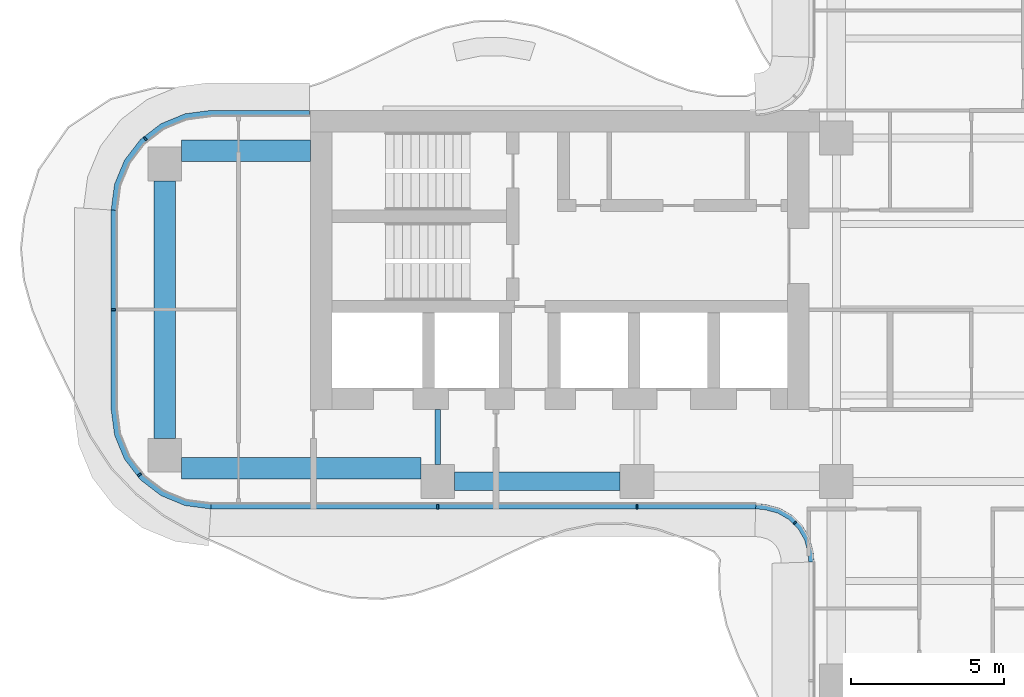
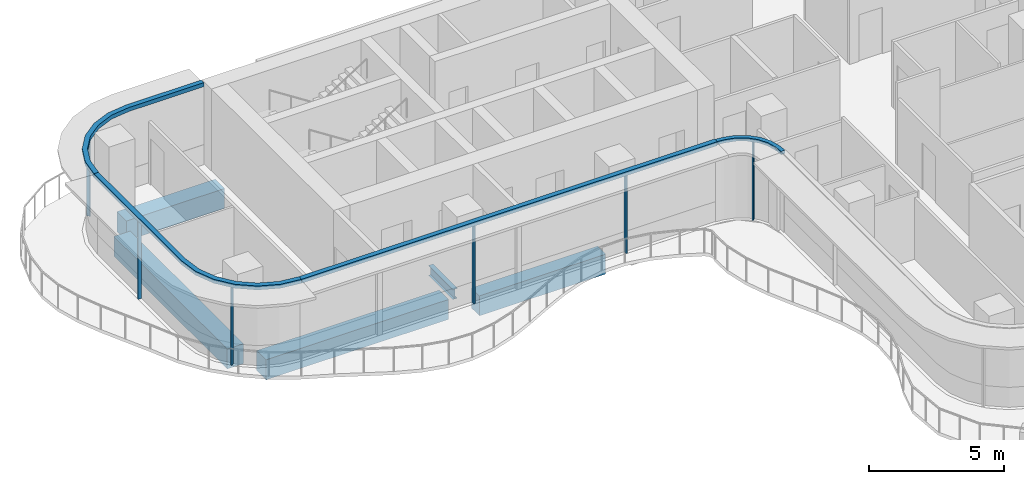
# One storey, part 3 of 16: 10 members, 5 beams, 4 elements without a shape of their own.
"""IFC4 building model written with IfcOpenShell, lengths in metres."""

from ifc_helpers import new_model, si_unit, direction, frame, origin, origin_2d, place, context, subcontext, project, spatial, polyline, rectangle, i_section, outline, extrude, source, transform, mapped, material, layer, layer_set, material_profile, profile_set, type_object, element, aggregate, save


model = new_model("IFC4")

# Units and contexts
model_context = context("Model", 3, precision=1e-05, world=origin(), true_north=direction((0.0, 1.0)))
body_context = subcontext(model_context, "Body", "Model", "MODEL_VIEW")
ifc_project = project(units=[si_unit("LENGTHUNIT", "METRE"), si_unit("AREAUNIT", "SQUARE_METRE"), si_unit("VOLUMEUNIT", "CUBIC_METRE"), si_unit("PLANEANGLEUNIT", "RADIAN"), si_unit("MASSUNIT", "GRAM", prefix="KILO")], contexts=[model_context])

# Site, building, storey
site_placement = place(None, origin())
site = spatial("IfcSite", under=ifc_project, at=site_placement, CompositionType="ELEMENT")
building_placement = place(site_placement, origin())
building = spatial("IfcBuilding", under=site, at=building_placement, Name="Trellis Farm Tower", CompositionType="ELEMENT")
storey_placement = place(building_placement, frame((0.0, 0.0, 255.800048828125)))
storey = spatial("IfcBuildingStorey", under=building, at=storey_placement, Name="L57", CompositionType="ELEMENT", Elevation=255.800048828125)

# Beams
ifc_material_1 = material(Name="Steel S355", Category="steel")
ifc_material_profile_1 = material_profile(ifc_material_1, i_section(OverallWidth=0.1904296875, OverallDepth=0.45703125, WebThickness=0.009033203125, FlangeThickness=0.014404296875, FilletRadius=0.01025390625, at=origin_2d()), Name="UB 457x191x74")
ifc_profile_set_1 = profile_set([ifc_material_profile_1], Name="Steel S355")
beam_type_1 = type_object("IfcBeamType", Name="UB 457x191x74", PredefinedType="BEAM", material=ifc_profile_set_1)
shared_shape_1 = source(origin(), body_context, "Body", "SweptSolid", [
    extrude(i_section(OverallWidth=0.1904296875, OverallDepth=0.45703125, WebThickness=0.009033203125, FlangeThickness=0.014404296875, FilletRadius=0.01025390625, at=origin_2d()), origin(), (0.0, 0.0, 1.0), 1.800048828125),
])
beam_1_placement = place(storey_placement, frame((-18.60009765625, -5.050048828125, -0.428466796875), z_axis=(0.0, 1.0, 0.0), x_axis=(-1.0, 0.0, 0.0)))
element("IfcBeam", 1, at=beam_1_placement, inside=storey, type_object=beam_type_1, Name="Girder", PredefinedType="BEAM", context=body_context, shape_type="MappedRepresentation", body=[
    mapped(shared_shape_1, transform((0.0, 0.0, 0.0))),
])
ifc_material_2 = material(Name="Concrete C60/75", Category="concrete")
ifc_material_profile_2 = material_profile(ifc_material_2, rectangle(XDim=0.60009765625, YDim=0.89990234375, at=origin_2d()), Name="RC spandrel beam 600x900 C60/75")
ifc_profile_set_2 = profile_set([ifc_material_profile_2], Name="Concrete C60/75")
beam_type_2 = type_object("IfcBeamType", Name="RC spandrel beam 600x900 C60/75", PredefinedType="SPANDREL", material=ifc_profile_set_2)
shared_shape_2 = source(origin(), body_context, "Body", "SweptSolid", [
    extrude(rectangle(XDim=0.60009765625, YDim=0.89990234375, at=origin_2d()), origin(), (0.0, 0.0, 1.0), 5.400146484375),
])
beam_2_placement = place(storey_placement, frame((-18.050048828125, -5.60009765625, -0.650146484375), z_axis=(1.0, 0.0, 0.0), x_axis=(0.0, 1.0, 0.0)))
element("IfcBeam", 2, at=beam_2_placement, inside=storey, type_object=beam_type_2, Name="Girder", PredefinedType="SPANDREL", context=body_context, shape_type="MappedRepresentation", body=[
    mapped(shared_shape_2, transform((0.0, 0.0, 0.0))),
])
ifc_material_profile_3 = material_profile(ifc_material_2, rectangle(XDim=0.699951171875, YDim=0.89990234375, at=origin_2d()), Name="RC spandrel beam 700x900 C60/75")
ifc_profile_set_3 = profile_set([ifc_material_profile_3], Name="Concrete C60/75")
beam_type_3 = type_object("IfcBeamType", Name="RC spandrel beam 700x900 C60/75", PredefinedType="SPANDREL", material=ifc_profile_set_3)
shared_shape_3 = source(origin(), body_context, "Body", "SweptSolid", [
    extrude(rectangle(XDim=0.699951171875, YDim=0.89990234375, at=origin_2d()), origin(), (0.0, 0.0, 1.0), 8.39990234375),
])
beam_3_placement = place(storey_placement, frame((-27.5, -4.199951171875, -0.650146484375), z_axis=(0.0, 1.0, 0.0), x_axis=(-1.0, 0.0, 0.0)))
element("IfcBeam", 3, at=beam_3_placement, inside=storey, type_object=beam_type_3, Name="Girder", PredefinedType="SPANDREL", context=body_context, shape_type="MappedRepresentation", body=[
    mapped(shared_shape_3, transform((0.0, 0.0, 0.0))),
])
shared_shape_4 = source(origin(), body_context, "Body", "SweptSolid", [
    extrude(rectangle(XDim=0.699951171875, YDim=0.89990234375, at=origin_2d()), origin(), (0.0, 0.0, 1.0), 7.800048828125),
])
beam_4_placement = place(storey_placement, frame((-26.949951171875, -5.175048828125, -0.650146484375), z_axis=(1.0, 0.0, 0.0), x_axis=(0.0, 1.0, 0.0)))
element("IfcBeam", 4, at=beam_4_placement, inside=storey, type_object=beam_type_3, Name="Girder", PredefinedType="SPANDREL", context=body_context, shape_type="MappedRepresentation", body=[
    mapped(shared_shape_4, transform((0.0, 0.0, 0.0))),
])
shared_shape_5 = source(origin(), body_context, "Body", "SweptSolid", [
    extrude(rectangle(XDim=0.699951171875, YDim=0.89990234375, at=origin_2d()), origin(), (0.0, 0.0, 1.0), 4.199951171875),
])
beam_5_placement = place(storey_placement, frame((-26.949951171875, 5.175048828125, -0.650146484375), z_axis=(1.0, 0.0, 0.0), x_axis=(0.0, 1.0, 0.0)))
element("IfcBeam", 5, at=beam_5_placement, inside=storey, type_object=beam_type_3, Name="Girder", PredefinedType="SPANDREL", context=body_context, shape_type="MappedRepresentation", body=[
    mapped(shared_shape_5, transform((0.0, 0.0, 0.0))),
])

# Curtain wall, member
ifc_material_3 = material(Name="Aluminium and glass curtain wall", Category="aluminium")
ifc_layer_1 = layer(ifc_material_3, 0.166015625)
ifc_layer_set_1 = layer_set([ifc_layer_1], Name="WINTER GARDEN CURTAIN WALL CW3")
curtain_wall_type_1 = type_object("IfcCurtainWallType", Name="WINTER GARDEN CURTAIN WALL CW3", PredefinedType="NOTDEFINED", material=ifc_layer_set_1)
placement_1 = place(storey_placement, origin())
curtain_wall_1 = element("IfcCurtainWall", 6, at=placement_1, inside=storey, type_object=curtain_wall_type_1, Name="CW3 001", PredefinedType="NOTDEFINED")
ifc_material_4 = material(Name="Aluminium extrusion 6063-T6", Category="aluminium")
ifc_layer_2 = layer(ifc_material_4, 0.169921875)
ifc_layer_set_2 = layer_set([ifc_layer_2], Name="Aluminium extrusion 6063-T6")
member_type_1 = type_object("IfcMemberType", Name="CW3 TRANSOM 170x150", PredefinedType="USERDEFINED", material=ifc_layer_set_2)
shared_shape_6 = source(origin(), body_context, "Body", "SweptSolid", [
    extrude(outline(polyline([(-8.2314453125, -6.5), (-8.01953125, -6.513916015625), (-7.91552734375, -6.527587890625), (-7.508544921875, -6.63671875), (-7.144287109375, -6.846923828125), (-6.846923828125, -7.144287109375), (-6.63671875, -7.508544921875), (-6.527587890625, -7.91552734375), (-6.513916015625, -8.01953125), (-6.5, -8.2314453125), (-6.330078125, -8.225830078125), (-6.3447265625, -8.0029296875), (-6.360595703125, -7.88232421875), (-6.478271484375, -7.44287109375), (-6.7109375, -7.0400390625), (-7.0400390625, -6.7109375), (-7.44287109375, -6.478271484375), (-7.88232421875, -6.360595703125), (-8.0029296875, -6.3447265625), (-8.225830078125, -6.330078125), (-8.2314453125, -6.5)])), origin(), (0.0, 0.0, 1.0), 0.14990234375),
])
member_1_placement = place(storey_placement, frame((0.0, 0.0, 3.550048828125)))
member_1 = element("IfcMember", 7, at=member_1_placement, type_object=member_type_1, Name="TR3 001", ObjectType="TRANSOM", PredefinedType="USERDEFINED", context=body_context, shape_type="MappedRepresentation", body=[
    mapped(shared_shape_6, transform((0.0, 0.0, 0.0))),
])

# Curtain wall, members
ifc_layer_3 = layer(ifc_material_3, 0.18994140625)
ifc_layer_set_3 = layer_set([ifc_layer_3], Name="RIBBON CURTAIN WALL CW1")
curtain_wall_type_2 = type_object("IfcCurtainWallType", Name="RIBBON CURTAIN WALL CW1", PredefinedType="NOTDEFINED", material=ifc_layer_set_3)
curtain_wall_2 = element("IfcCurtainWall", 8, at=placement_1, inside=storey, type_object=curtain_wall_type_2, Name="CW1 001", PredefinedType="NOTDEFINED")
ifc_material_profile_4 = material_profile(ifc_material_4, rectangle(XDim=0.06005859375, YDim=0.14990234375, at=origin_2d()), Name="MULLION 60x150")
ifc_profile_set_4 = profile_set([ifc_material_profile_4], Name="Aluminium extrusion 6063-T6")
member_type_2 = type_object("IfcMemberType", Name="CW1 MULLION 60x150", PredefinedType="MULLION", material=ifc_profile_set_4)
shared_shape_7 = source(origin(), body_context, "Body", "SweptSolid", [
    extrude(rectangle(XDim=0.06005859375, YDim=0.14990234375, at=origin_2d()), origin(), (0.0, 0.0, 1.0), 3.52001953125),
])
member_2_placement = place(storey_placement, frame((-18.60009765625, -6.425048828125, 0.0), z_axis=(0.0, 0.0, 1.0), x_axis=(1.0, 0.0, 0.0)))
member_2 = element("IfcMember", 9, at=member_2_placement, type_object=member_type_2, Name="MU1 001-01", PredefinedType="MULLION", context=body_context, shape_type="MappedRepresentation", body=[
    mapped(shared_shape_7, transform((0.0, 0.0, 0.0))),
])
member_3_placement = place(storey_placement, frame((-12.10009765625, -6.425048828125, 0.0), z_axis=(0.0, 0.0, 1.0), x_axis=(1.0, 0.0, 0.0)))
member_3 = element("IfcMember", 10, at=member_3_placement, type_object=member_type_2, Name="MU1 001-02", PredefinedType="MULLION", context=body_context, shape_type="MappedRepresentation", body=[
    mapped(shared_shape_7, transform((0.0, 0.0, 0.0))),
])

# Curtain wall, member
curtain_wall_3 = element("IfcCurtainWall", 11, at=placement_1, inside=storey, type_object=curtain_wall_type_2, Name="CW1 012", PredefinedType="NOTDEFINED")
member_4_placement = place(storey_placement, frame((-28.135498046875, 5.578369140625, 0.0), z_axis=(0.0, 0.0, 1.0), x_axis=(-0.793353340291, -0.608761429009, 0.0)))
member_4 = element("IfcMember", 12, at=member_4_placement, type_object=member_type_2, Name="MU1 012-01", PredefinedType="MULLION", context=body_context, shape_type="MappedRepresentation", body=[
    mapped(shared_shape_7, transform((0.0, 0.0, 0.0))),
])

# Curtain wall, members
curtain_wall_4 = element("IfcCurtainWall", 13, at=placement_1, inside=storey, type_object=curtain_wall_type_2, Name="CW1 013", PredefinedType="NOTDEFINED")
member_5_placement = place(storey_placement, frame((-29.175048828125, 0.0, 0.0), z_axis=(0.0, 0.0, 1.0), x_axis=(0.0, -1.0, 0.0)))
member_5 = element("IfcMember", 14, at=member_5_placement, type_object=member_type_2, Name="MU1 013-01", PredefinedType="MULLION", context=body_context, shape_type="MappedRepresentation", body=[
    mapped(shared_shape_7, transform((0.0, 0.0, 0.0))),
])
member_6_placement = place(storey_placement, frame((-28.328369140625, -5.385498046875, 0.0), z_axis=(0.0, 0.0, 1.0), x_axis=(0.608761429009, -0.793353340291, 0.0)))
member_6 = element("IfcMember", 15, at=member_6_placement, type_object=member_type_2, Name="MU1 013-02", PredefinedType="MULLION", context=body_context, shape_type="MappedRepresentation", body=[
    mapped(shared_shape_7, transform((0.0, 0.0, 0.0))),
])

# Member
ifc_material_profile_5 = material_profile(ifc_material_4, rectangle(XDim=0.050048828125, YDim=0.1201171875, at=origin_2d()), Name="MULLION 50x120")
ifc_profile_set_5 = profile_set([ifc_material_profile_5], Name="Aluminium extrusion 6063-T6")
member_type_3 = type_object("IfcMemberType", Name="CW3 MULLION 50x120", PredefinedType="MULLION", material=ifc_profile_set_5)
shared_shape_8 = source(origin(), body_context, "Body", "SweptSolid", [
    extrude(rectangle(XDim=0.050048828125, YDim=0.1201171875, at=origin_2d()), origin(), (0.0, 0.0, 1.0), 3.550048828125),
])
member_7_placement = place(storey_placement, frame((-6.953125, -6.953125, 0.0), z_axis=(0.0, 0.0, 1.0), x_axis=(0.707106781187, -0.707106781187, 0.0)))
member_7 = element("IfcMember", 16, at=member_7_placement, type_object=member_type_3, Name="MU3 001-01", PredefinedType="MULLION", context=body_context, shape_type="MappedRepresentation", body=[
    mapped(shared_shape_8, transform((0.0, 0.0, 0.0))),
])

aggregate(curtain_wall_1, [member_7, member_1])

ifc_layer_4 = layer(ifc_material_4, 0.199951171875)
ifc_layer_set_4 = layer_set([ifc_layer_4], Name="Aluminium extrusion 6063-T6")
member_type_4 = type_object("IfcMemberType", Name="CW1 TRANSOM 200x180", PredefinedType="USERDEFINED", material=ifc_layer_set_4)
shared_shape_9 = source(origin(), body_context, "Body", "SweptSolid", [
    extrude(outline(polyline([(-26.0, -6.5), (-8.2314453125, -6.5), (-8.224853515625, -6.300048828125), (-25.98681640625, -6.300048828125), (-26.0, -6.5)])), origin(), (0.0, 0.0, 1.0), 0.179931640625),
])
placement_2 = place(storey_placement, frame((0.0, 0.0, 3.52001953125)))
member_8 = element("IfcMember", 17, at=placement_2, type_object=member_type_4, Name="TR1 001", ObjectType="TRANSOM", PredefinedType="USERDEFINED", context=body_context, shape_type="MappedRepresentation", body=[
    mapped(shared_shape_9, transform((0.0, 0.0, 0.0))),
])

aggregate(curtain_wall_2, [member_2, member_3, member_8])

shared_shape_10 = source(origin(), body_context, "Body", "SweptSolid", [
    extrude(outline(polyline([(-22.780029296875, 6.5), (-26.0, 6.5), (-26.841064453125, 6.38916015625), (-27.625, 6.064697265625), (-28.298095703125, 5.548095703125), (-28.814697265625, 4.875), (-29.13916015625, 4.091064453125), (-29.25, 3.25), (-29.050048828125, 3.23681640625), (-28.9443359375, 4.0390625), (-28.639892578125, 4.774169921875), (-28.155517578125, 5.405517578125), (-27.524169921875, 5.889892578125), (-26.7890625, 6.1943359375), (-25.98681640625, 6.300048828125), (-22.780029296875, 6.300048828125), (-22.780029296875, 6.5)])), origin(), (0.0, 0.0, 1.0), 0.179931640625),
])
member_9 = element("IfcMember", 18, at=placement_2, type_object=member_type_4, Name="TR1 012", ObjectType="TRANSOM", PredefinedType="USERDEFINED", context=body_context, shape_type="MappedRepresentation", body=[
    mapped(shared_shape_10, transform((0.0, 0.0, 0.0))),
])

aggregate(curtain_wall_3, [member_4, member_9])

shared_shape_11 = source(origin(), body_context, "Body", "SweptSolid", [
    extrude(outline(polyline([(-29.25, 3.25), (-29.25, -3.25), (-29.13916015625, -4.091064453125), (-28.814697265625, -4.875), (-28.298095703125, -5.548095703125), (-27.625, -6.064697265625), (-26.841064453125, -6.38916015625), (-26.0, -6.5), (-25.98681640625, -6.300048828125), (-26.7890625, -6.1943359375), (-27.524169921875, -5.889892578125), (-28.155517578125, -5.405517578125), (-28.639892578125, -4.774169921875), (-28.9443359375, -4.0390625), (-29.050048828125, -3.23681640625), (-29.050048828125, 3.23681640625), (-29.25, 3.25)])), origin(), (0.0, 0.0, 1.0), 0.179931640625),
])
member_10 = element("IfcMember", 19, at=placement_2, type_object=member_type_4, Name="TR1 013", ObjectType="TRANSOM", PredefinedType="USERDEFINED", context=body_context, shape_type="MappedRepresentation", body=[
    mapped(shared_shape_11, transform((0.0, 0.0, 0.0))),
])

aggregate(curtain_wall_4, [member_5, member_6, member_10])

save(model, "model.ifc")
